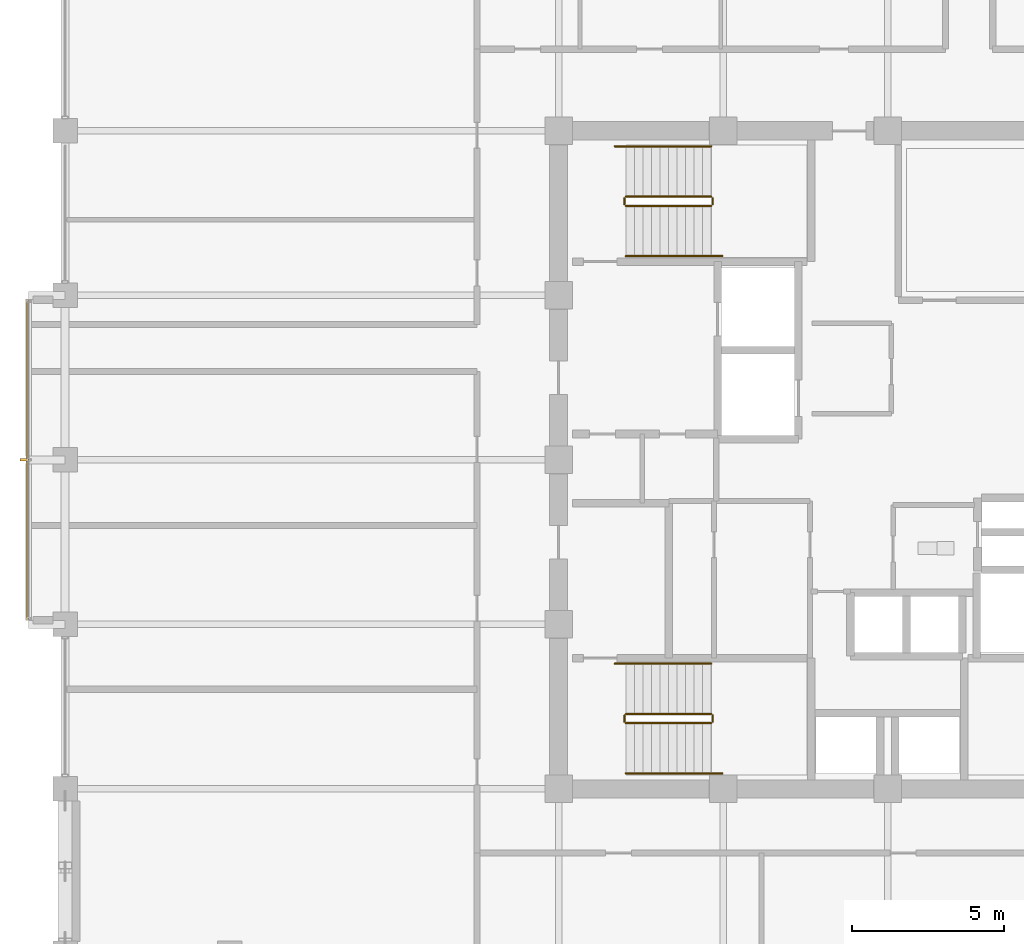
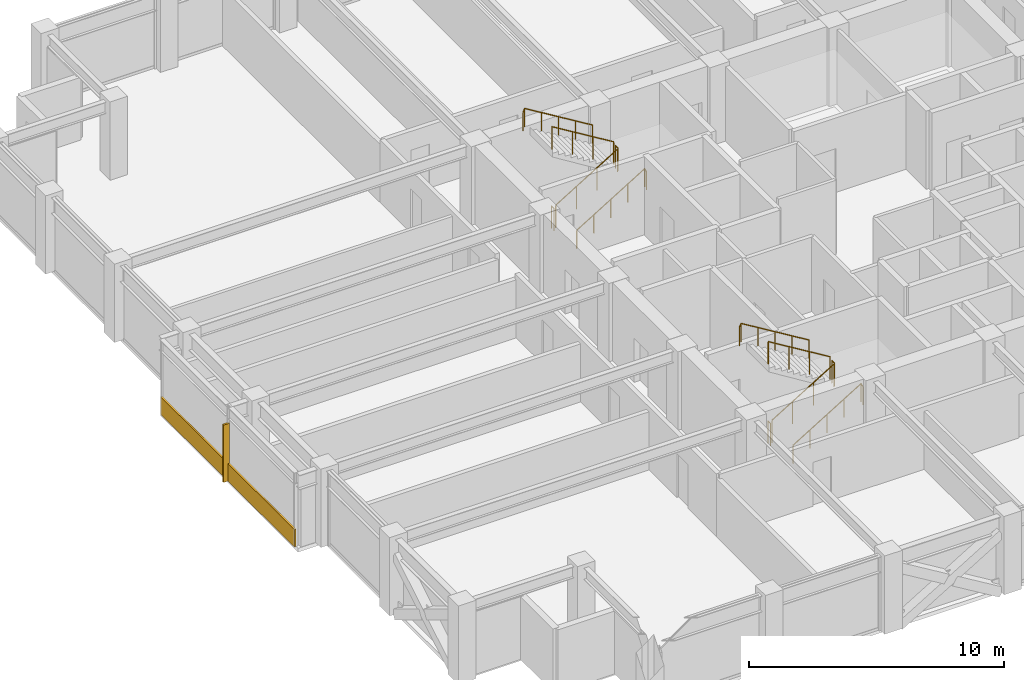
# One storey, part 30 of 32: 12 railings, 1 covering, 1 shading device.
"""IFC4 building model written with IfcOpenShell, lengths in metres."""

from ifc_helpers import new_model, si_unit, direction, frame, origin, origin_2d, place, context, subcontext, project, spatial, rectangle, circle, extrude, material, layer, layer_set, type_object, element, save


model = new_model("IFC4")

# Units and contexts
model_context = context("Model", 3, precision=1e-05, world=origin(), true_north=direction((0.0, 1.0)))
body_context = subcontext(model_context, "Body", "Model", "MODEL_VIEW")
ifc_project = project(units=[si_unit("LENGTHUNIT", "METRE"), si_unit("AREAUNIT", "SQUARE_METRE"), si_unit("VOLUMEUNIT", "CUBIC_METRE"), si_unit("PLANEANGLEUNIT", "RADIAN"), si_unit("MASSUNIT", "GRAM", prefix="KILO")], contexts=[model_context])

# Site, building, storey
site_placement = place(None, origin())
site = spatial("IfcSite", under=ifc_project, at=site_placement, CompositionType="ELEMENT")
building_placement = place(site_placement, origin())
building = spatial("IfcBuilding", under=site, at=building_placement, Name="Surkhivell Harbour Commons", CompositionType="ELEMENT")
storey_placement = place(building_placement, frame((0.0, 0.0, 234.75)))
storey = spatial("IfcBuildingStorey", under=building, at=storey_placement, Name="L61", CompositionType="ELEMENT", Elevation=234.75)

# Covering
ifc_material_1 = material(Name="Cobalt-azure enamelled aluminium cassette panel", Category="aluminium")
ifc_layer = layer(ifc_material_1, 0.072021484375)
ifc_layer_set = layer_set([ifc_layer], Name="Cobalt-azure enamelled aluminium cassette panel")
covering_type = type_object("IfcCoveringType", Name="COV-CLAD-COB", PredefinedType="CLADDING", material=ifc_layer_set)
covering_placement = place(storey_placement, frame((-28.239990234375, 0.0, 0.0), z_axis=(0.0, 0.0, 1.0), x_axis=(1.0, 0.0, 0.0)))
element("IfcCovering", 1, at=covering_placement, inside=storey, type_object=covering_type, Name="L61 Coloured-Panel Box Spandrel Cassette 02", PredefinedType="CLADDING", context=body_context, shape_type="SweptSolid", body=[
    extrude(rectangle(XDim=0.080078125, YDim=10.5, at=origin_2d()), origin(), (0.0, 0.0, 1.0), 0.840087890625),
])

# Railings
ifc_material_2 = material(Name="Galvanised and painted steel S355 guard rail", Category="steel")
railing_type_1 = type_object("IfcRailingType", Name="RAL-ST-GRD1100", PredefinedType="GUARDRAIL", material=ifc_material_2)
railing_1_placement = place(storey_placement, frame((-8.590087890625, 8.340087890625, 0.17041015625)))
element("IfcRailing", 2, at=railing_1_placement, inside=storey, type_object=railing_type_1, Name="L61 ST1 stair guard 1", PredefinedType="GUARDRAIL", context=body_context, shape_type="SweptSolid", body=[
    extrude(circle(Radius=0.02392578125, at=origin_2d()), frame((0.0, 0.0, 1.076171875), z_axis=(0.854169791009, 0.0, 0.51999420009), x_axis=(0.0, 1.0, 0.0)), (0.0, 0.0, 1.0), 3.278076171875),
    extrude(circle(Radius=0.02099609375, at=origin_2d()), origin(), (0.0, 0.0, 1.0), 1.052001953125),
    extrude(circle(Radius=0.02099609375, at=origin_2d()), frame((0.933349609375, 0.0, 0.568115234375)), (0.0, 0.0, 1.0), 1.052001953125),
    extrude(circle(Radius=0.02099609375, at=origin_2d()), frame((1.86669921875, 0.0, 1.136474609375)), (0.0, 0.0, 1.0), 1.052001953125),
    extrude(circle(Radius=0.02099609375, at=origin_2d()), frame((2.800048828125, 0.0, 1.70458984375)), (0.0, 0.0, 1.0), 1.052001953125),
])
railing_2_placement = place(storey_placement, frame((-5.739990234375, 8.389892578125, 1.875)))
element("IfcRailing", 3, at=railing_2_placement, inside=storey, type_object=railing_type_1, Name="L61 ST1 stair guard 2", PredefinedType="GUARDRAIL", context=body_context, shape_type="SweptSolid", body=[
    extrude(circle(Radius=0.02392578125, at=origin_2d()), frame((0.0, 0.0, 1.076171875), z_axis=(0.0, 1.0, 0.0), x_axis=(-1.0, 0.0, 0.0)), (0.0, 0.0, 1.0), 0.2001953125),
    extrude(circle(Radius=0.02099609375, at=origin_2d()), origin(), (0.0, 0.0, 1.0), 1.052001953125),
    extrude(circle(Radius=0.02099609375, at=origin_2d()), frame((0.0, 0.2001953125, 0.0)), (0.0, 0.0, 1.0), 1.052001953125),
])
railing_3_placement = place(storey_placement, frame((-5.7900390625, 8.639892578125, 2.04541015625)))
element("IfcRailing", 4, at=railing_3_placement, inside=storey, type_object=railing_type_1, Name="L61 ST1 stair guard 3", PredefinedType="GUARDRAIL", context=body_context, shape_type="SweptSolid", body=[
    extrude(circle(Radius=0.02392578125, at=origin_2d()), frame((0.0, 0.0, 1.076171875), z_axis=(-0.854169791009, 0.0, 0.51999420009), x_axis=(0.0, -1.0, 0.0)), (0.0, 0.0, 1.0), 3.278076171875),
    extrude(circle(Radius=0.02099609375, at=origin_2d()), origin(), (0.0, 0.0, 1.0), 1.052001953125),
    extrude(circle(Radius=0.02099609375, at=origin_2d()), frame((-0.933349609375, 0.0, 0.568115234375)), (0.0, 0.0, 1.0), 1.052001953125),
    extrude(circle(Radius=0.02099609375, at=origin_2d()), frame((-1.86669921875, 0.0, 1.136474609375)), (0.0, 0.0, 1.0), 1.052001953125),
    extrude(circle(Radius=0.02099609375, at=origin_2d()), frame((-2.800048828125, 0.0, 1.70458984375)), (0.0, 0.0, 1.0), 1.052001953125),
])
railing_4_placement = place(storey_placement, frame((-8.639892578125, 8.389892578125, 0.0)))
element("IfcRailing", 5, at=railing_4_placement, inside=storey, type_object=railing_type_1, Name="L61 ST1 stair guard 4", PredefinedType="GUARDRAIL", context=body_context, shape_type="SweptSolid", body=[
    extrude(circle(Radius=0.02392578125, at=origin_2d()), frame((0.0, 0.0, 1.076171875), z_axis=(0.0, 1.0, 0.0), x_axis=(-1.0, 0.0, 0.0)), (0.0, 0.0, 1.0), 0.2001953125),
    extrude(circle(Radius=0.02099609375, at=origin_2d()), origin(), (0.0, 0.0, 1.0), 1.052001953125),
    extrude(circle(Radius=0.02099609375, at=origin_2d()), frame((0.0, 0.2001953125, 0.0)), (0.0, 0.0, 1.0), 1.052001953125),
])
railing_5_placement = place(storey_placement, frame((-8.590087890625, -8.639892578125, 0.17041015625)))
element("IfcRailing", 6, at=railing_5_placement, inside=storey, type_object=railing_type_1, Name="L61 ST3 stair guard 1", PredefinedType="GUARDRAIL", context=body_context, shape_type="SweptSolid", body=[
    extrude(circle(Radius=0.02392578125, at=origin_2d()), frame((0.0, 0.0, 1.076171875), z_axis=(0.854169791009, 0.0, 0.51999420009), x_axis=(0.0, 1.0, 0.0)), (0.0, 0.0, 1.0), 3.278076171875),
    extrude(circle(Radius=0.02099609375, at=origin_2d()), origin(), (0.0, 0.0, 1.0), 1.052001953125),
    extrude(circle(Radius=0.02099609375, at=origin_2d()), frame((0.933349609375, 0.0, 0.568115234375)), (0.0, 0.0, 1.0), 1.052001953125),
    extrude(circle(Radius=0.02099609375, at=origin_2d()), frame((1.86669921875, 0.0, 1.136474609375)), (0.0, 0.0, 1.0), 1.052001953125),
    extrude(circle(Radius=0.02099609375, at=origin_2d()), frame((2.800048828125, 0.0, 1.70458984375)), (0.0, 0.0, 1.0), 1.052001953125),
])
railing_6_placement = place(storey_placement, frame((-5.739990234375, -8.590087890625, 1.875)))
element("IfcRailing", 7, at=railing_6_placement, inside=storey, type_object=railing_type_1, Name="L61 ST3 stair guard 2", PredefinedType="GUARDRAIL", context=body_context, shape_type="SweptSolid", body=[
    extrude(circle(Radius=0.02392578125, at=origin_2d()), frame((0.0, 0.0, 1.076171875), z_axis=(0.0, 1.0, 0.0), x_axis=(-1.0, 0.0, 0.0)), (0.0, 0.0, 1.0), 0.2001953125),
    extrude(circle(Radius=0.02099609375, at=origin_2d()), origin(), (0.0, 0.0, 1.0), 1.052001953125),
    extrude(circle(Radius=0.02099609375, at=origin_2d()), frame((0.0, 0.2001953125, 0.0)), (0.0, 0.0, 1.0), 1.052001953125),
])
railing_7_placement = place(storey_placement, frame((-5.7900390625, -8.340087890625, 2.04541015625)))
element("IfcRailing", 8, at=railing_7_placement, inside=storey, type_object=railing_type_1, Name="L61 ST3 stair guard 3", PredefinedType="GUARDRAIL", context=body_context, shape_type="SweptSolid", body=[
    extrude(circle(Radius=0.02392578125, at=origin_2d()), frame((0.0, 0.0, 1.076171875), z_axis=(-0.854169791009, 0.0, 0.51999420009), x_axis=(0.0, -1.0, 0.0)), (0.0, 0.0, 1.0), 3.278076171875),
    extrude(circle(Radius=0.02099609375, at=origin_2d()), origin(), (0.0, 0.0, 1.0), 1.052001953125),
    extrude(circle(Radius=0.02099609375, at=origin_2d()), frame((-0.933349609375, 0.0, 0.568115234375)), (0.0, 0.0, 1.0), 1.052001953125),
    extrude(circle(Radius=0.02099609375, at=origin_2d()), frame((-1.86669921875, 0.0, 1.136474609375)), (0.0, 0.0, 1.0), 1.052001953125),
    extrude(circle(Radius=0.02099609375, at=origin_2d()), frame((-2.800048828125, 0.0, 1.70458984375)), (0.0, 0.0, 1.0), 1.052001953125),
])
railing_8_placement = place(storey_placement, frame((-8.639892578125, -8.590087890625, 0.0)))
element("IfcRailing", 9, at=railing_8_placement, inside=storey, type_object=railing_type_1, Name="L61 ST3 stair guard 4", PredefinedType="GUARDRAIL", context=body_context, shape_type="SweptSolid", body=[
    extrude(circle(Radius=0.02392578125, at=origin_2d()), frame((0.0, 0.0, 1.076171875), z_axis=(0.0, 1.0, 0.0), x_axis=(-1.0, 0.0, 0.0)), (0.0, 0.0, 1.0), 0.2001953125),
    extrude(circle(Radius=0.02099609375, at=origin_2d()), origin(), (0.0, 0.0, 1.0), 1.052001953125),
    extrude(circle(Radius=0.02099609375, at=origin_2d()), frame((0.0, 0.2001953125, 0.0)), (0.0, 0.0, 1.0), 1.052001953125),
])
ifc_material_3 = material(Name="Brushed stainless steel S355 handrail", Category="steel")
railing_type_2 = type_object("IfcRailingType", Name="RAL-ST-HND900", PredefinedType="HANDRAIL", material=ifc_material_3)
railing_9_placement = place(storey_placement, frame((-8.590087890625, 6.68994140625, 0.17041015625)))
element("IfcRailing", 10, at=railing_9_placement, inside=storey, type_object=railing_type_2, Name="L61 ST1 stair handrail 1", PredefinedType="HANDRAIL", context=body_context, shape_type="SweptSolid", body=[
    extrude(circle(Radius=0.02392578125, at=origin_2d()), frame((0.0, 0.0, 0.8759765625), z_axis=(0.854177636135, 0.0, 0.519981313056), x_axis=(0.0, 1.0, 0.0)), (0.0, 0.0, 1.0), 3.60595703125),
    extrude(circle(Radius=0.02392578125, at=origin_2d()), frame((3.080078125, 0.0, 2.7509765625), z_axis=(0.425297416671, 0.0, -0.905053648892), x_axis=(0.0, 1.0, 0.0)), (0.0, 0.0, 1.0), 0.188232421875),
    extrude(circle(Radius=0.02099609375, at=origin_2d()), origin(), (0.0, 0.0, 1.0), 0.851806640625),
    extrude(circle(Radius=0.02099609375, at=origin_2d()), frame((0.77001953125, 0.0, 0.46875)), (0.0, 0.0, 1.0), 0.851806640625),
    extrude(circle(Radius=0.02099609375, at=origin_2d()), frame((1.5400390625, 0.0, 0.9375)), (0.0, 0.0, 1.0), 0.851806640625),
    extrude(circle(Radius=0.02099609375, at=origin_2d()), frame((2.31005859375, 0.0, 1.40625)), (0.0, 0.0, 1.0), 0.851806640625),
    extrude(circle(Radius=0.02099609375, at=origin_2d()), frame((3.080078125, 0.0, 1.875)), (0.0, 0.0, 1.0), 0.851806640625),
    extrude(circle(Radius=0.02099609375, at=origin_2d()), frame((3.16015625, 0.0, 1.70458984375)), (0.0, 0.0, 1.0), 0.851806640625),
])
railing_10_placement = place(storey_placement, frame((-5.7900390625, 10.2900390625, 2.04541015625)))
element("IfcRailing", 11, at=railing_10_placement, inside=storey, type_object=railing_type_2, Name="L61 ST1 stair handrail 2", PredefinedType="HANDRAIL", context=body_context, shape_type="SweptSolid", body=[
    extrude(circle(Radius=0.02392578125, at=origin_2d()), frame((0.0, 0.0, 0.8759765625), z_axis=(-0.854177636135, 0.0, 0.519981313056), x_axis=(0.0, -1.0, 0.0)), (0.0, 0.0, 1.0), 3.60595703125),
    extrude(circle(Radius=0.02392578125, at=origin_2d()), frame((-3.080078125, 0.0, 2.7509765625), z_axis=(-0.424234432967, 0.0, -0.905552398199), x_axis=(0.0, -1.0, 0.0)), (0.0, 0.0, 1.0), 0.188232421875),
    extrude(circle(Radius=0.02099609375, at=origin_2d()), origin(), (0.0, 0.0, 1.0), 0.851806640625),
    extrude(circle(Radius=0.02099609375, at=origin_2d()), frame((-0.77001953125, 0.0, 0.46875)), (0.0, 0.0, 1.0), 0.851806640625),
    extrude(circle(Radius=0.02099609375, at=origin_2d()), frame((-1.5400390625, 0.0, 0.9375)), (0.0, 0.0, 1.0), 0.851806640625),
    extrude(circle(Radius=0.02099609375, at=origin_2d()), frame((-2.31005859375, 0.0, 1.40625)), (0.0, 0.0, 1.0), 0.851806640625),
    extrude(circle(Radius=0.02099609375, at=origin_2d()), frame((-3.080078125, 0.0, 1.875)), (0.0, 0.0, 1.0), 0.851806640625),
    extrude(circle(Radius=0.02099609375, at=origin_2d()), frame((-3.159912109375, 0.0, 1.70458984375)), (0.0, 0.0, 1.0), 0.851806640625),
])
railing_11_placement = place(storey_placement, frame((-8.590087890625, -10.2900390625, 0.17041015625)))
element("IfcRailing", 12, at=railing_11_placement, inside=storey, type_object=railing_type_2, Name="L61 ST3 stair handrail 1", PredefinedType="HANDRAIL", context=body_context, shape_type="SweptSolid", body=[
    extrude(circle(Radius=0.02392578125, at=origin_2d()), frame((0.0, 0.0, 0.8759765625), z_axis=(0.854177636135, 0.0, 0.519981313056), x_axis=(0.0, 1.0, 0.0)), (0.0, 0.0, 1.0), 3.60595703125),
    extrude(circle(Radius=0.02392578125, at=origin_2d()), frame((3.080078125, 0.0, 2.7509765625), z_axis=(0.425297416671, 0.0, -0.905053648892), x_axis=(0.0, 1.0, 0.0)), (0.0, 0.0, 1.0), 0.188232421875),
    extrude(circle(Radius=0.02099609375, at=origin_2d()), origin(), (0.0, 0.0, 1.0), 0.851806640625),
    extrude(circle(Radius=0.02099609375, at=origin_2d()), frame((0.77001953125, 0.0, 0.46875)), (0.0, 0.0, 1.0), 0.851806640625),
    extrude(circle(Radius=0.02099609375, at=origin_2d()), frame((1.5400390625, 0.0, 0.9375)), (0.0, 0.0, 1.0), 0.851806640625),
    extrude(circle(Radius=0.02099609375, at=origin_2d()), frame((2.31005859375, 0.0, 1.40625)), (0.0, 0.0, 1.0), 0.851806640625),
    extrude(circle(Radius=0.02099609375, at=origin_2d()), frame((3.080078125, 0.0, 1.875)), (0.0, 0.0, 1.0), 0.851806640625),
    extrude(circle(Radius=0.02099609375, at=origin_2d()), frame((3.16015625, 0.0, 1.70458984375)), (0.0, 0.0, 1.0), 0.851806640625),
])
railing_12_placement = place(storey_placement, frame((-5.7900390625, -6.68994140625, 2.04541015625)))
element("IfcRailing", 13, at=railing_12_placement, inside=storey, type_object=railing_type_2, Name="L61 ST3 stair handrail 2", PredefinedType="HANDRAIL", context=body_context, shape_type="SweptSolid", body=[
    extrude(circle(Radius=0.02392578125, at=origin_2d()), frame((0.0, 0.0, 0.8759765625), z_axis=(-0.854177636135, 0.0, 0.519981313056), x_axis=(0.0, -1.0, 0.0)), (0.0, 0.0, 1.0), 3.60595703125),
    extrude(circle(Radius=0.02392578125, at=origin_2d()), frame((-3.080078125, 0.0, 2.7509765625), z_axis=(-0.424234432967, 0.0, -0.905552398199), x_axis=(0.0, -1.0, 0.0)), (0.0, 0.0, 1.0), 0.188232421875),
    extrude(circle(Radius=0.02099609375, at=origin_2d()), origin(), (0.0, 0.0, 1.0), 0.851806640625),
    extrude(circle(Radius=0.02099609375, at=origin_2d()), frame((-0.77001953125, 0.0, 0.46875)), (0.0, 0.0, 1.0), 0.851806640625),
    extrude(circle(Radius=0.02099609375, at=origin_2d()), frame((-1.5400390625, 0.0, 0.9375)), (0.0, 0.0, 1.0), 0.851806640625),
    extrude(circle(Radius=0.02099609375, at=origin_2d()), frame((-2.31005859375, 0.0, 1.40625)), (0.0, 0.0, 1.0), 0.851806640625),
    extrude(circle(Radius=0.02099609375, at=origin_2d()), frame((-3.080078125, 0.0, 1.875)), (0.0, 0.0, 1.0), 0.851806640625),
    extrude(circle(Radius=0.02099609375, at=origin_2d()), frame((-3.159912109375, 0.0, 1.70458984375)), (0.0, 0.0, 1.0), 0.851806640625),
])

# Shading device
ifc_material_4 = material(Name="Champagne anodised aluminium solar fin", Category="aluminium")
shading_device_type = type_object("IfcShadingDeviceType", Name="SHD-FIN-SLIM", PredefinedType="USERDEFINED", material=ifc_material_4)
shading_device_placement = place(storey_placement, frame((-28.340087890625, 0.0, 0.0048828125), z_axis=(0.0, 0.0, 1.0), x_axis=(1.0, 0.0, 0.0)))
element("IfcShadingDevice", 14, at=shading_device_placement, inside=storey, type_object=shading_device_type, Name="L61 Coloured-Box Solar Fin 02", ObjectType="FIN", PredefinedType="USERDEFINED", context=body_context, shape_type="SweptSolid", body=[
    extrude(rectangle(XDim=0.280029296875, YDim=0.080078125, at=origin_2d()), origin(), (0.0, 0.0, 1.0), 2.75),
])

save(model, "model.ifc")
